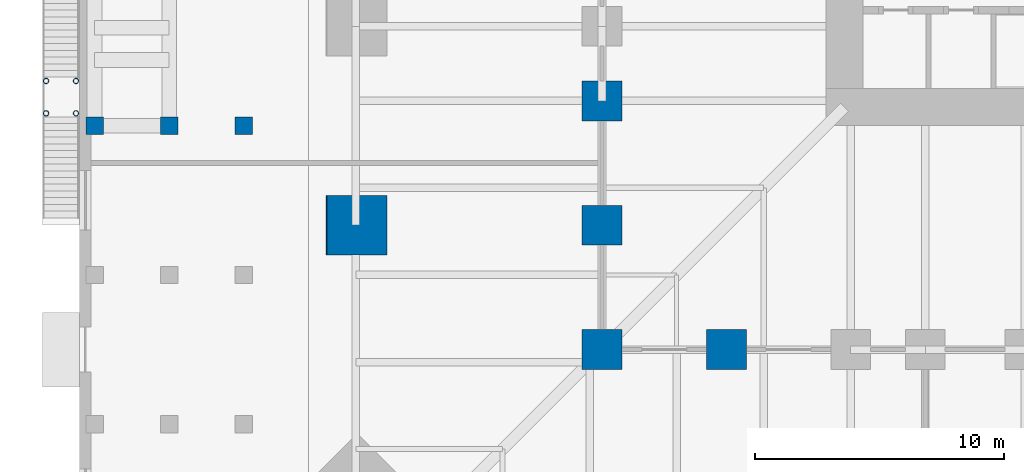
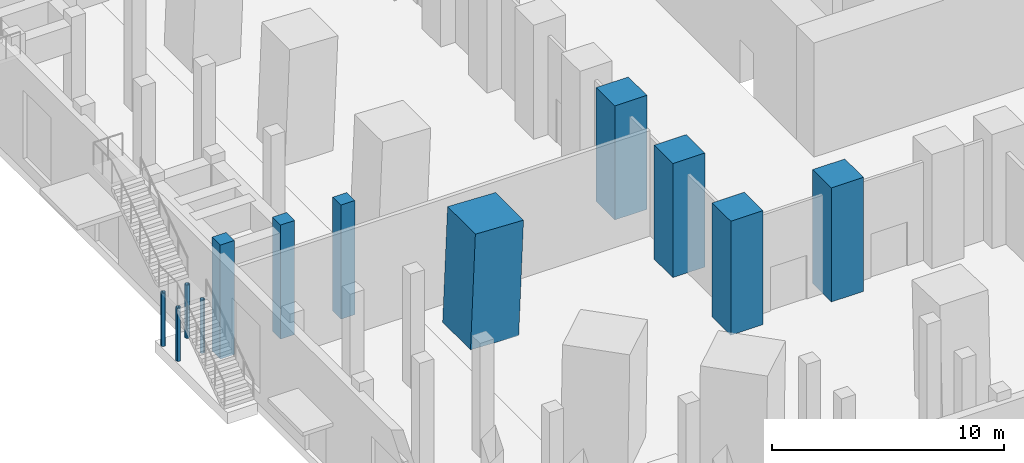
# One storey, part 2 of 20: 12 columns.
"""IFC4 building model written with IfcOpenShell, lengths in metres."""

import ifcopenshell
import ifcopenshell.guid

model = None  # the IFC model being written
_history = None  # IfcOwnerHistory: only IFC2X3 demands one
_inside = {}  # id of a spatial element -> (the spatial element, [elements in it])
_under = {}  # id of a project, library or spatial element -> (it, [spatial elements below it])
_declared = {}  # id of a project -> (the project, [libraries it declares])
_typed = {}  # id of a type object -> (the type object, [elements of that type])
_made_of = {}  # id of a material, layer set ... -> (it, [elements and type objects made of it])


def new_model(schema):
    """Start an empty IFC model of exactly this schema.

    Asked for "IFC4X3", IfcOpenShell would pick the latest addendum, in which some entities
    have other attributes; the version numbers below select the first issue.
    IFC2X3 requires an IfcOwnerHistory on every rooted entity: one is made here for all.
    """
    global model, _history
    if schema == "IFC4X3":
        model = ifcopenshell.file(schema_version=(4, 3, 0, 0))
    else:
        model = ifcopenshell.file(schema=schema)
    _inside.clear()
    _under.clear()
    _declared.clear()
    _typed.clear()
    _made_of.clear()
    _history = None
    if model.schema == "IFC2X3":
        org = make("IfcOrganization", Name="unknown")
        user = make(
            "IfcPersonAndOrganization",
            ThePerson=make("IfcPerson", FamilyName="unknown"),
            TheOrganization=org,
        )
        app = make(
            "IfcApplication",
            ApplicationDeveloper=org,
            Version="unknown",
            ApplicationFullName="unknown",
            ApplicationIdentifier="unknown",
        )
        _history = make(
            "IfcOwnerHistory",
            OwningUser=user,
            OwningApplication=app,
            ChangeAction="ADDED",
            CreationDate=0,
        )
    return model


def make(cls, **values):
    """One entity of the class cls with the attributes given. An attribute that is None is left unset."""
    return model.create_entity(
        cls, **{name: value for name, value in values.items() if value is not None}
    )


def rooted(cls, **values):
    """An entity with a GlobalId (a new one), such as an element, a storey or a relation."""
    return make(cls, GlobalId=ifcopenshell.guid.new(), OwnerHistory=_history, **values)


def si_unit(unit_type, name, prefix=None):
    """IfcSIUnit, for example si_unit("LENGTHUNIT", "METRE", prefix="MILLI")."""
    return make("IfcSIUnit", UnitType=unit_type, Prefix=prefix, Name=name)


def assignment(units):
    """IfcUnitAssignment: the units of a project."""
    return None if units is None else make("IfcUnitAssignment", Units=units)


def point(xyz):
    """IfcCartesianPoint."""
    return None if xyz is None else make("IfcCartesianPoint", Coordinates=xyz)


def direction(xyz):
    """IfcDirection."""
    return None if xyz is None else make("IfcDirection", DirectionRatios=xyz)


def frame(location, z_axis=None, x_axis=None):
    """IfcAxis2Placement3D, a coordinate frame: its origin and axes. An axis left out is left unset."""
    return make(
        "IfcAxis2Placement3D",
        Location=point(location),
        Axis=direction(z_axis),
        RefDirection=direction(x_axis),
    )


def frame_2d(location, x_axis=None):
    """IfcAxis2Placement2D, a coordinate frame in the plane: its origin and x axis."""
    return make(
        "IfcAxis2Placement2D", Location=point(location), RefDirection=direction(x_axis)
    )


def origin():
    """The frame at (0, 0, 0) with its axes left unset."""
    return frame((0.0, 0.0, 0.0))


def origin_2d():
    """The frame at (0, 0) in the plane with its x axis left unset."""
    return frame_2d((0.0, 0.0))


def place(relative_to, where):
    """IfcLocalPlacement: puts the frame where relative to a parent placement (None: the world)."""
    return make(
        "IfcLocalPlacement", PlacementRelTo=relative_to, RelativePlacement=where
    )


def context(
    kind, dimensions, precision=None, world=None, true_north=None, identifier=None
):
    """IfcGeometricRepresentationContext, for example the 3D "Model" context."""
    return make(
        "IfcGeometricRepresentationContext",
        ContextIdentifier=identifier,
        ContextType=kind,
        CoordinateSpaceDimension=dimensions,
        Precision=precision,
        WorldCoordinateSystem=world,
        TrueNorth=true_north,
    )


def subcontext(parent, identifier, kind, view, scale=None):
    """IfcGeometricRepresentationSubContext, for example "Body" below "Model"."""
    return make(
        "IfcGeometricRepresentationSubContext",
        ContextIdentifier=identifier,
        ContextType=kind,
        ParentContext=parent,
        TargetScale=scale,
        TargetView=view,
    )


def project(units=None, contexts=None):
    """IfcProject with its units and contexts."""
    return rooted(
        "IfcProject",
        Name="project",
        RepresentationContexts=contexts,
        UnitsInContext=assignment(units),
    )


def spatial(cls, under=None, at=None, **own):
    """A site, building, storey or space (cls), placed at a placement, below another one or the project."""
    s = rooted(cls, ObjectPlacement=at, **own)
    if under is not None:
        _under.setdefault(under.id(), (under, []))[1].append(s)
    return s


def profile(cls, at=None, kind="AREA", **sizes):
    """A parametric profile (cls). Its sizes go by their IFC names, for example OverallWidth=200.0."""
    return make(cls, ProfileType=kind, Position=at, **sizes)


def rectangle(**sizes):
    """IfcRectangleProfileDef."""
    return profile("IfcRectangleProfileDef", **sizes)


def hollow_circle(**sizes):
    """IfcCircleHollowProfileDef."""
    return profile("IfcCircleHollowProfileDef", **sizes)


def extrude(swept, where, along, depth):
    """IfcExtrudedAreaSolid: the profile swept, set in the frame where, extruded along a direction by depth."""
    return make(
        "IfcExtrudedAreaSolid",
        SweptArea=swept,
        Position=where,
        ExtrudedDirection=direction(along),
        Depth=depth,
    )


def shape(context_of_items, identifier, shape_type, items):
    """IfcShapeRepresentation: the items that make up one representation, for example the "Body"."""
    return make(
        "IfcShapeRepresentation",
        ContextOfItems=context_of_items,
        RepresentationIdentifier=identifier,
        RepresentationType=shape_type,
        Items=items,
    )


def material(Name=None, Category=None):
    """IfcMaterial."""
    return make("IfcMaterial", Name=Name, Category=Category)


def material_profile(
    of_material, cross_section, Name=None, Category=None, Priority=None
):
    """IfcMaterialProfile: a cross section and its material."""
    return make(
        "IfcMaterialProfile",
        Name=Name,
        Material=of_material,
        Profile=cross_section,
        Priority=Priority,
        Category=Category,
    )


def profile_set(profiles, Name=None, composite=None):
    """IfcMaterialProfileSet."""
    return make(
        "IfcMaterialProfileSet",
        Name=Name,
        MaterialProfiles=profiles,
        CompositeProfile=composite,
    )


def made_of(thing, what):
    """Note that an element or type object is made of a material, layer set ...; save() writes the relation."""
    if what is not None:
        _made_of.setdefault(what.id(), (what, []))[1].append(thing)
    return thing


def type_object(cls, material=None, **own):
    """A type object (cls), such as IfcWallType, which elements share."""
    return made_of(rooted(cls, **own), material)


def element(
    cls,
    number,
    at=None,
    inside=None,
    cuts=None,
    type_object=None,
    material=None,
    context=None,
    identifier="Body",
    shape_type=None,
    held_by="IfcProductDefinitionShape",
    body=None,
    shapes=None,
    **own,
):
    """One element of the class cls, such as IfcWall. Its Tag is "e" and its number.

    at: its placement. inside: the storey or other place that contains it. cuts: it is an
    opening in that element (IfcRelVoidsElement). A single representation is given by context,
    identifier, shape_type and body (its items); several are given by shapes. held_by: the class
    of the entity that holds the representations. save() writes the other relations.
    """
    e = rooted(cls, Tag="e%d" % number, ObjectPlacement=at, **own)
    if body is not None:
        shapes = [shape(context, identifier, shape_type, body)]
    if shapes is not None:
        e.Representation = make(held_by, Representations=shapes)
    if inside is not None:
        _inside.setdefault(inside.id(), (inside, []))[1].append(e)
    if cuts is not None:
        rooted(
            "IfcRelVoidsElement", RelatingBuildingElement=cuts, RelatedOpeningElement=e
        )
    if type_object is not None:
        _typed.setdefault(type_object.id(), (type_object, []))[1].append(e)
    return made_of(e, material)


def aggregate(whole, parts):
    """IfcRelAggregates: a whole, such as a stair, and the parts it consists of."""
    return rooted("IfcRelAggregates", RelatingObject=whole, RelatedObjects=parts)


def save(model, path):
    """Write the relations noted so far, then the file.

    IfcRelAggregates (storeys below a building ...), IfcRelContainedInSpatialStructure (elements
    in a storey), IfcRelDefinesByType, IfcRelAssociatesMaterial and IfcRelDeclares: one each for
    every whole, place, type object, material and project.
    """
    for whole, parts in _under.values():
        aggregate(whole, parts)
    for where, things in _inside.values():
        rooted(
            "IfcRelContainedInSpatialStructure",
            RelatedElements=things,
            RelatingStructure=where,
        )
    for kind, things in _typed.values():
        rooted("IfcRelDefinesByType", RelatedObjects=things, RelatingType=kind)
    for what, things in _made_of.values():
        rooted("IfcRelAssociatesMaterial", RelatedObjects=things, RelatingMaterial=what)
    for by, libraries in _declared.values():
        rooted("IfcRelDeclares", RelatingContext=by, RelatedDefinitions=libraries)
    model.write(path)


model = new_model("IFC4")

# Units and contexts
model_context = context("Model", 3, precision=1e-05, world=origin(), true_north=direction((0.0, 1.0)))
body_context = subcontext(model_context, "Body", "Model", "MODEL_VIEW")
ifc_project = project(units=[si_unit("LENGTHUNIT", "METRE"), si_unit("AREAUNIT", "SQUARE_METRE"), si_unit("VOLUMEUNIT", "CUBIC_METRE"), si_unit("PLANEANGLEUNIT", "RADIAN"), si_unit("MASSUNIT", "GRAM", prefix="KILO")], contexts=[model_context])

# Site, building, storey
site_placement = place(None, origin())
site = spatial("IfcSite", under=ifc_project, at=site_placement, CompositionType="ELEMENT")
building_placement = place(site_placement, origin())
building = spatial("IfcBuilding", under=site, at=building_placement, Name="Peilmerk Tower", CompositionType="ELEMENT")
storey_placement = place(building_placement, origin())
storey = spatial("IfcBuildingStorey", under=building, at=storey_placement, Name="L00", CompositionType="ELEMENT", Elevation=0.0)

# Columns
ifc_material_1 = material(Name="Concrete C55/67", Category="concrete")
ifc_material_profile_1 = material_profile(ifc_material_1, rectangle(XDim=0.699951171875, YDim=0.699951171875, at=origin_2d()), Name="RC 700x700")
ifc_profile_set_1 = profile_set([ifc_material_profile_1], Name="Concrete C55/67")
column_type_1 = type_object("IfcColumnType", Name="PC1 700x700 podium column", PredefinedType="COLUMN", material=ifc_profile_set_1)
for number, where, z_axis, x_axis, name in (
    (1, (-35.39990234375, -12.0, 0.0), (0.0, 0.0, 1.0), (1.0, 0.0, 0.0), "Podium column ring A L00"),
    (2, (-38.39990234375, -12.0, 0.0), (0.0, 0.0, 1.0), (1.0, 0.0, 0.0), "Podium column ring B L00"),
    (3, (-41.39990234375, -12.0, 0.0), (0.0, 0.0, 1.0), (1.0, 0.0, 0.0), "Podium column ring C L00"),
):
    element("IfcColumn", number, at=place(storey_placement, frame(where, z_axis=z_axis, x_axis=x_axis)), inside=storey, type_object=column_type_1, Name=name, PredefinedType="COLUMN", context=body_context, shape_type="SweptSolid", body=[
        extrude(rectangle(XDim=0.699951171875, YDim=0.699951171875, at=origin_2d()), origin(), (0.0, 0.0, 1.0), 6.0),
    ])
ifc_material_2 = material(Name="Concrete C90/105", Category="concrete")
ifc_material_profile_2 = material_profile(ifc_material_2, rectangle(XDim=2.39990234375, YDim=2.39990234375, at=origin_2d()), Name="RC 2400x2400")
ifc_profile_set_2 = profile_set([ifc_material_profile_2], Name="Concrete C90/105")
column_type_2 = type_object("IfcColumnType", Name="SC1 2400x2400 encased perimeter column", PredefinedType="COLUMN", material=ifc_profile_set_2)
column_placement = place(storey_placement, frame((-30.896728515625, -16.0, 0.0), z_axis=(0.0402911495, 0.0, 0.999187981949), x_axis=(0.0, 1.0, 0.0)))
element("IfcColumn", 4, at=column_placement, inside=storey, type_object=column_type_2, Name="Perimeter column W+16 L00", PredefinedType="COLUMN", context=body_context, shape_type="SweptSolid", body=[
    extrude(rectangle(XDim=2.39990234375, YDim=2.39990234375, at=origin_2d()), origin(), (0.0, 0.0, 1.0), 6.0048828125),
])
ifc_material_3 = material(Name="Steel S355", Category="steel")
ifc_material_profile_3 = material_profile(ifc_material_3, hollow_circle(Radius=0.109619140625, WallThickness=0.012451171875, at=origin_2d()), Name="CHS 219.1x12.5")
ifc_profile_set_3 = profile_set([ifc_material_profile_3], Name="Steel S355")
column_type_3 = type_object("IfcColumnType", Name="SC12 CHS 219.1x12.5 external stair post", PredefinedType="COLUMN", material=ifc_profile_set_3)
for number, where, z_axis, x_axis, name in (
    (5, (-43.35009765625, -11.5, 0.0), (0.0, 0.0, 1.0), (1.0, 0.0, 0.0), "External stair 6 post L00"),
    (6, (-42.14990234375, -11.5, 0.0), (0.0, 0.0, 1.0), (1.0, 0.0, 0.0), "External stair 6 post L00"),
    (7, (-43.35009765625, -10.199951171875, 0.0), (0.0, 0.0, 1.0), (1.0, 0.0, 0.0), "External stair 6 post L00"),
    (8, (-42.14990234375, -10.199951171875, 0.0), (0.0, 0.0, 1.0), (1.0, 0.0, 0.0), "External stair 6 post L00"),
):
    element("IfcColumn", number, at=place(storey_placement, frame(where, z_axis=z_axis, x_axis=x_axis)), inside=storey, type_object=column_type_3, Name=name, PredefinedType="COLUMN", context=body_context, shape_type="SweptSolid", body=[
        extrude(hollow_circle(Radius=0.109619140625, WallThickness=0.012451171875, at=origin_2d()), origin(), (0.0, 0.0, 1.0), 2.800048828125),
    ])
ifc_material_profile_4 = material_profile(ifc_material_2, rectangle(XDim=1.60009765625, YDim=1.60009765625, at=origin_2d()), Name="RC 1600x1600")
ifc_profile_set_4 = profile_set([ifc_material_profile_4], Name="Concrete C90/105")
column_type_4 = type_object("IfcColumnType", Name="SC2 1600x1600 encased interior column", PredefinedType="COLUMN", material=ifc_profile_set_4)
for number, where, z_axis, x_axis, name in (
    (9, (-16.0, -21.0, 0.0), (0.0, 0.0, 1.0), (1.0, 0.0, 0.0), "Interior column S-16 L00"),
    (10, (-21.0, -11.0, 0.0), (0.0, 0.0, 1.0), (1.0, 0.0, 0.0), "Interior column W+11 L00"),
    (11, (-21.0, -16.0, 0.0), (0.0, 0.0, 1.0), (1.0, 0.0, 0.0), "Interior column W+16 L00"),
    (12, (-21.0, -21.0, 0.0), (0.0, 0.0, 1.0), (1.0, 0.0, 0.0), "Interior column SW L00"),
):
    element("IfcColumn", number, at=place(storey_placement, frame(where, z_axis=z_axis, x_axis=x_axis)), inside=storey, type_object=column_type_4, Name=name, PredefinedType="COLUMN", context=body_context, shape_type="SweptSolid", body=[
        extrude(rectangle(XDim=1.60009765625, YDim=1.60009765625, at=origin_2d()), origin(), (0.0, 0.0, 1.0), 6.0),
    ])

save(model, "model.ifc")
